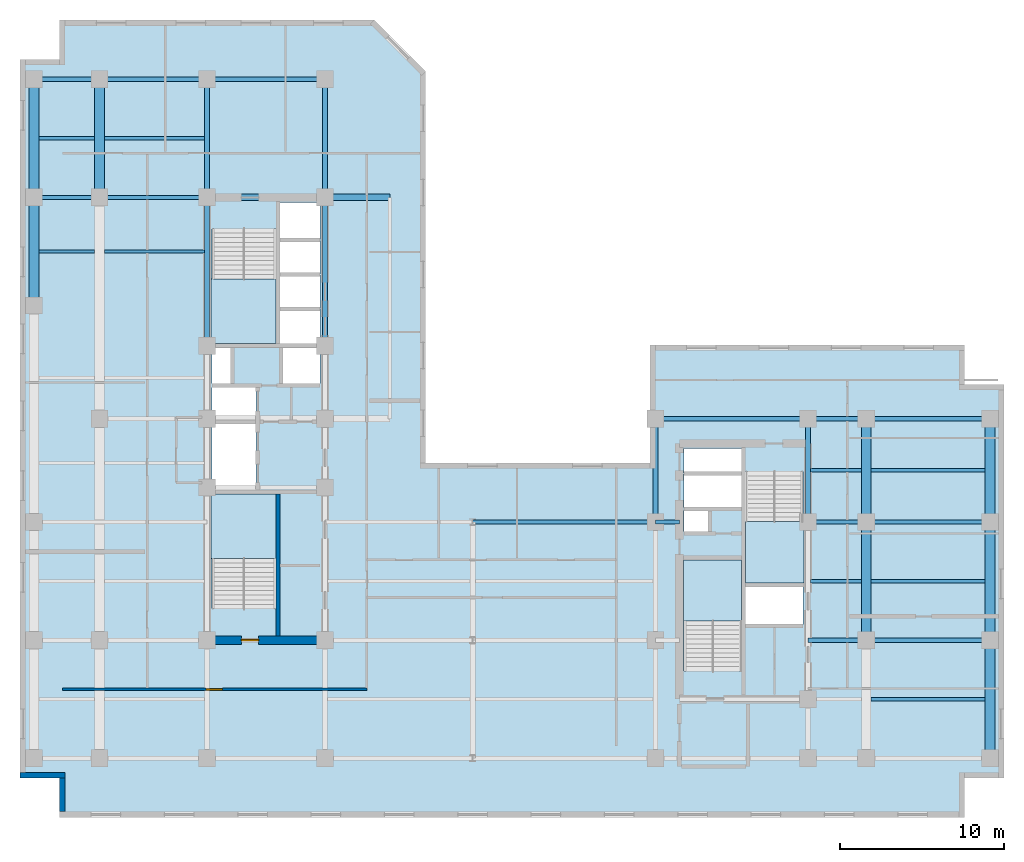
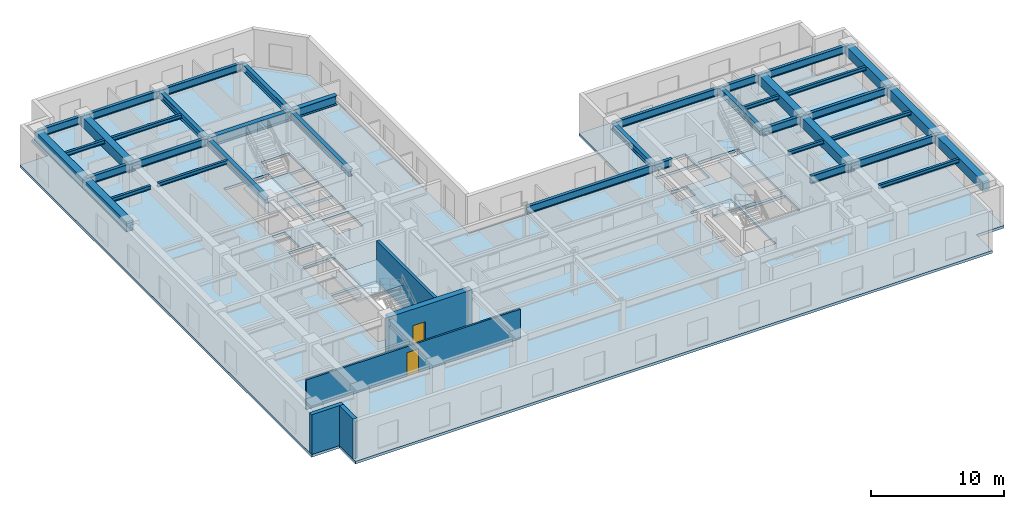
# One storey, part 2 of 10: 38 beams, 5 slabs, 5 walls, 2 doors, 2 openings, 4 elements without a shape of their own.
"""IFC4 building model written with IfcOpenShell, lengths in metres."""

from ifc_helpers import new_model, entity, si_unit, converted_unit, direction, frame, origin_with_axes, origin_2d_with_axis, place, context, subcontext, project, spatial, polyline, rectangle, i_section, outline, extrude, material, layer, layer_set, material_profile, profile_set, type_object, element, fill, aggregate, save


model = new_model("IFC4")

# Units and contexts
model_context = context("Model", 3, precision=1e-05, world=origin_with_axes(), true_north=direction((0.0, 1.0)))
body_context = subcontext(model_context, "Body", "Model", "MODEL_VIEW")
ifc_project = project(units=[si_unit("LENGTHUNIT", "METRE"), si_unit("AREAUNIT", "SQUARE_METRE"), si_unit("VOLUMEUNIT", "CUBIC_METRE"), converted_unit("PLANEANGLEUNIT", "DEGREE", entity("IfcPlaneAngleMeasure", 0.017453292519943295), si_unit("PLANEANGLEUNIT", "RADIAN"), dimensions=[0, 0, 0, 0, 0, 0, 0]), si_unit("MASSUNIT", "GRAM", prefix="KILO"), si_unit("THERMODYNAMICTEMPERATUREUNIT", "KELVIN")], contexts=[model_context])

# Site, building, storey
site_placement = place(None, origin_with_axes())
site = spatial("IfcSite", under=ifc_project, at=site_placement, CompositionType="ELEMENT")
building_placement = place(site_placement, origin_with_axes())
building = spatial("IfcBuilding", under=site, at=building_placement, Name="Varnlund Millrace Tower", CompositionType="ELEMENT")
storey_placement = place(building_placement, frame((0.0, 0.0, 171.9), z_axis=(0.0, 0.0, 1.0), x_axis=(1.0, 0.0, 0.0)))
storey = spatial("IfcBuildingStorey", under=building, at=storey_placement, Name="L42", CompositionType="ELEMENT", Elevation=171.9)

# Beams
ifc_material_1 = material(Name="Steel ASTM A992 Grade 50", Category="steel")
ifc_material_profile_1 = material_profile(ifc_material_1, i_section(OverallWidth=0.328, OverallDepth=0.628, WebThickness=0.0165, FlangeThickness=0.0277, FilletRadius=0.018, at=origin_2d_with_axis()), Name="Steel ASTM A992 Grade 50")
ifc_profile_set_1 = profile_set([ifc_material_profile_1], Name="Steel ASTM A992 Grade 50")
beam_type_1 = type_object("IfcBeamType", Name="Type-Girder-W24X146", PredefinedType="USERDEFINED", material=ifc_profile_set_1)
beam_1_placement = place(storey_placement, frame((11.4, 28.75, 3.346), z_axis=(0.0, 1.0, 0.0), x_axis=(-1.0, 0.0, 0.0)))
element("IfcBeam", 1, at=beam_1_placement, inside=storey, type_object=beam_type_1, Name="Type-Girder-W24X146", ObjectType="GIRDER", PredefinedType="USERDEFINED", context=body_context, shape_type="SweptSolid", body=[
    extrude(i_section(OverallWidth=0.328, OverallDepth=0.628, WebThickness=0.0165, FlangeThickness=0.0277, FilletRadius=0.018, at=origin_2d_with_axis()), origin_with_axes(), (0.0, 0.0, 1.0), 9.05),
])
beam_2_placement = place(storey_placement, frame((11.4, 37.8, 3.346), z_axis=(0.0, 1.0, 0.0), x_axis=(-1.0, 0.0, 0.0)))
element("IfcBeam", 2, at=beam_2_placement, inside=storey, type_object=beam_type_1, Name="Type-Girder-W24X146", ObjectType="GIRDER", PredefinedType="USERDEFINED", context=body_context, shape_type="SweptSolid", body=[
    extrude(i_section(OverallWidth=0.328, OverallDepth=0.628, WebThickness=0.0165, FlangeThickness=0.0277, FilletRadius=0.018, at=origin_2d_with_axis()), origin_with_axes(), (0.0, 0.0, 1.0), 7.2),
])
beam_3_placement = place(storey_placement, frame((18.6, 28.75, 3.346), z_axis=(0.0, 1.0, 0.0), x_axis=(-1.0, 0.0, 0.0)))
element("IfcBeam", 3, at=beam_3_placement, inside=storey, type_object=beam_type_1, Name="Type-Girder-W24X146", ObjectType="GIRDER", PredefinedType="USERDEFINED", context=body_context, shape_type="SweptSolid", body=[
    extrude(i_section(OverallWidth=0.328, OverallDepth=0.628, WebThickness=0.0165, FlangeThickness=0.0277, FilletRadius=0.018, at=origin_2d_with_axis()), origin_with_axes(), (0.0, 0.0, 1.0), 9.05),
])
beam_4_placement = place(storey_placement, frame((18.6, 37.8, 3.346), z_axis=(0.0, 1.0, 0.0), x_axis=(-1.0, 0.0, 0.0)))
element("IfcBeam", 4, at=beam_4_placement, inside=storey, type_object=beam_type_1, Name="Type-Girder-W24X146", ObjectType="GIRDER", PredefinedType="USERDEFINED", context=body_context, shape_type="SweptSolid", body=[
    extrude(i_section(OverallWidth=0.328, OverallDepth=0.628, WebThickness=0.0165, FlangeThickness=0.0277, FilletRadius=0.018, at=origin_2d_with_axis()), origin_with_axes(), (0.0, 0.0, 1.0), 7.2),
])
for number, where, z_axis, x_axis, name in (
    (5, (38.75, 18.0, 3.346), (0.0, 1.0, 0.0), (-1.0, 0.0, 0.0), "Type-Girder-W24X146"),
    (6, (48.05, 18.0, 3.346), (0.0, 1.0, 0.0), (-1.0, 0.0, 0.0), "Type-Girder-W24X146"),
):
    element("IfcBeam", number, at=place(storey_placement, frame(where, z_axis=z_axis, x_axis=x_axis)), inside=storey, type_object=beam_type_1, Name=name, ObjectType="GIRDER", PredefinedType="USERDEFINED", context=body_context, shape_type="SweptSolid", body=[
        extrude(i_section(OverallWidth=0.328, OverallDepth=0.628, WebThickness=0.0165, FlangeThickness=0.0277, FilletRadius=0.018, at=origin_2d_with_axis()), origin_with_axes(), (0.0, 0.0, 1.0), 6.3),
    ])
ifc_material_profile_2 = material_profile(ifc_material_1, i_section(OverallWidth=0.256, OverallDepth=0.693, WebThickness=0.0145, FlangeThickness=0.0236, FilletRadius=0.018, at=origin_2d_with_axis()), Name="Steel ASTM A992 Grade 50")
ifc_profile_set_2 = profile_set([ifc_material_profile_2], Name="Steel ASTM A992 Grade 50")
beam_type_2 = type_object("IfcBeamType", Name="Type-Girder-W27X114", PredefinedType="USERDEFINED", material=ifc_profile_set_2)
beam_5_placement = place(storey_placement, frame((48.05, 10.8, 3.3135), z_axis=(1.0, 0.0, 0.0), x_axis=(0.0, 1.0, 0.0)))
element("IfcBeam", 7, at=beam_5_placement, inside=storey, type_object=beam_type_2, Name="Type-Girder-W27X114", ObjectType="GIRDER", PredefinedType="USERDEFINED", context=body_context, shape_type="SweptSolid", body=[
    extrude(i_section(OverallWidth=0.256, OverallDepth=0.693, WebThickness=0.0145, FlangeThickness=0.0236, FilletRadius=0.018, at=origin_2d_with_axis()), origin_with_axes(), (0.0, 0.0, 1.0), 3.55),
])
beam_6_placement = place(storey_placement, frame((51.6, 10.8, 3.3135), z_axis=(1.0, 0.0, 0.0), x_axis=(0.0, 1.0, 0.0)))
element("IfcBeam", 8, at=beam_6_placement, inside=storey, type_object=beam_type_2, Name="Type-Girder-W27X114", ObjectType="GIRDER", PredefinedType="USERDEFINED", context=body_context, shape_type="SweptSolid", body=[
    extrude(i_section(OverallWidth=0.256, OverallDepth=0.693, WebThickness=0.0145, FlangeThickness=0.0236, FilletRadius=0.018, at=origin_2d_with_axis()), origin_with_axes(), (0.0, 0.0, 1.0), 7.55),
])
beam_7_placement = place(storey_placement, frame((27.6, 18.0, 3.3135), z_axis=(1.0, 0.0, 0.0), x_axis=(0.0, 1.0, 0.0)))
element("IfcBeam", 9, at=beam_7_placement, inside=storey, type_object=beam_type_2, Name="Type-Girder-W27X114", ObjectType="GIRDER", PredefinedType="USERDEFINED", context=body_context, shape_type="SweptSolid", body=[
    extrude(i_section(OverallWidth=0.256, OverallDepth=0.693, WebThickness=0.0145, FlangeThickness=0.0236, FilletRadius=0.018, at=origin_2d_with_axis()), origin_with_axes(), (0.0, 0.0, 1.0), 11.15),
])
beam_8_placement = place(storey_placement, frame((38.75, 18.0, 3.3135), z_axis=(1.0, 0.0, 0.0), x_axis=(0.0, 1.0, 0.0)))
element("IfcBeam", 10, at=beam_8_placement, inside=storey, type_object=beam_type_2, Name="Type-Girder-W27X114", ObjectType="GIRDER", PredefinedType="USERDEFINED", context=body_context, shape_type="SweptSolid", body=[
    extrude(i_section(OverallWidth=0.256, OverallDepth=0.693, WebThickness=0.0145, FlangeThickness=0.0236, FilletRadius=0.018, at=origin_2d_with_axis()), origin_with_axes(), (0.0, 0.0, 1.0), 1.45),
])
beam_9_placement = place(storey_placement, frame((48.05, 18.0, 3.3135), z_axis=(1.0, 0.0, 0.0), x_axis=(0.0, 1.0, 0.0)))
element("IfcBeam", 11, at=beam_9_placement, inside=storey, type_object=beam_type_2, Name="Type-Girder-W27X114", ObjectType="GIRDER", PredefinedType="USERDEFINED", context=body_context, shape_type="SweptSolid", body=[
    extrude(i_section(OverallWidth=0.256, OverallDepth=0.693, WebThickness=0.0145, FlangeThickness=0.0236, FilletRadius=0.018, at=origin_2d_with_axis()), origin_with_axes(), (0.0, 0.0, 1.0), 3.55),
])
beam_10_placement = place(storey_placement, frame((51.6, 18.0, 3.3135), z_axis=(1.0, 0.0, 0.0), x_axis=(0.0, 1.0, 0.0)))
element("IfcBeam", 12, at=beam_10_placement, inside=storey, type_object=beam_type_2, Name="Type-Girder-W27X114", ObjectType="GIRDER", PredefinedType="USERDEFINED", context=body_context, shape_type="SweptSolid", body=[
    extrude(i_section(OverallWidth=0.256, OverallDepth=0.693, WebThickness=0.0145, FlangeThickness=0.0236, FilletRadius=0.018, at=origin_2d_with_axis()), origin_with_axes(), (0.0, 0.0, 1.0), 7.55),
])
beam_11_placement = place(storey_placement, frame((38.75, 24.3, 3.3135), z_axis=(1.0, 0.0, 0.0), x_axis=(0.0, 1.0, 0.0)))
element("IfcBeam", 13, at=beam_11_placement, inside=storey, type_object=beam_type_2, Name="Type-Girder-W27X114", ObjectType="GIRDER", PredefinedType="USERDEFINED", context=body_context, shape_type="SweptSolid", body=[
    extrude(i_section(OverallWidth=0.256, OverallDepth=0.693, WebThickness=0.0145, FlangeThickness=0.0236, FilletRadius=0.018, at=origin_2d_with_axis()), origin_with_axes(), (0.0, 0.0, 1.0), 9.3),
])
beam_12_placement = place(storey_placement, frame((48.05, 24.3, 3.3135), z_axis=(1.0, 0.0, 0.0), x_axis=(0.0, 1.0, 0.0)))
element("IfcBeam", 14, at=beam_12_placement, inside=storey, type_object=beam_type_2, Name="Type-Girder-W27X114", ObjectType="GIRDER", PredefinedType="USERDEFINED", context=body_context, shape_type="SweptSolid", body=[
    extrude(i_section(OverallWidth=0.256, OverallDepth=0.693, WebThickness=0.0145, FlangeThickness=0.0236, FilletRadius=0.018, at=origin_2d_with_axis()), origin_with_axes(), (0.0, 0.0, 1.0), 3.55),
])
beam_13_placement = place(storey_placement, frame((51.6, 24.3, 3.3135), z_axis=(1.0, 0.0, 0.0), x_axis=(0.0, 1.0, 0.0)))
element("IfcBeam", 15, at=beam_13_placement, inside=storey, type_object=beam_type_2, Name="Type-Girder-W27X114", ObjectType="GIRDER", PredefinedType="USERDEFINED", context=body_context, shape_type="SweptSolid", body=[
    extrude(i_section(OverallWidth=0.256, OverallDepth=0.693, WebThickness=0.0145, FlangeThickness=0.0236, FilletRadius=0.018, at=origin_2d_with_axis()), origin_with_axes(), (0.0, 0.0, 1.0), 7.55),
])
beam_14_placement = place(storey_placement, frame((0.85, 37.8, 3.3135), z_axis=(1.0, 0.0, 0.0), x_axis=(0.0, 1.0, 0.0)))
element("IfcBeam", 16, at=beam_14_placement, inside=storey, type_object=beam_type_2, Name="Type-Girder-W27X114", ObjectType="GIRDER", PredefinedType="USERDEFINED", context=body_context, shape_type="SweptSolid", body=[
    extrude(i_section(OverallWidth=0.256, OverallDepth=0.693, WebThickness=0.0145, FlangeThickness=0.0236, FilletRadius=0.018, at=origin_2d_with_axis()), origin_with_axes(), (0.0, 0.0, 1.0), 4.0),
])
beam_15_placement = place(storey_placement, frame((4.85, 37.8, 3.3135), z_axis=(1.0, 0.0, 0.0), x_axis=(0.0, 1.0, 0.0)))
element("IfcBeam", 17, at=beam_15_placement, inside=storey, type_object=beam_type_2, Name="Type-Girder-W27X114", ObjectType="GIRDER", PredefinedType="USERDEFINED", context=body_context, shape_type="SweptSolid", body=[
    extrude(i_section(OverallWidth=0.256, OverallDepth=0.693, WebThickness=0.0145, FlangeThickness=0.0236, FilletRadius=0.018, at=origin_2d_with_axis()), origin_with_axes(), (0.0, 0.0, 1.0), 6.55),
])
beam_16_placement = place(storey_placement, frame((0.85, 45.0, 3.3135), z_axis=(1.0, 0.0, 0.0), x_axis=(0.0, 1.0, 0.0)))
element("IfcBeam", 18, at=beam_16_placement, inside=storey, type_object=beam_type_2, Name="Type-Girder-W27X114", ObjectType="GIRDER", PredefinedType="USERDEFINED", context=body_context, shape_type="SweptSolid", body=[
    extrude(i_section(OverallWidth=0.256, OverallDepth=0.693, WebThickness=0.0145, FlangeThickness=0.0236, FilletRadius=0.018, at=origin_2d_with_axis()), origin_with_axes(), (0.0, 0.0, 1.0), 4.0),
])
beam_17_placement = place(storey_placement, frame((4.85, 45.0, 3.3135), z_axis=(1.0, 0.0, 0.0), x_axis=(0.0, 1.0, 0.0)))
element("IfcBeam", 19, at=beam_17_placement, inside=storey, type_object=beam_type_2, Name="Type-Girder-W27X114", ObjectType="GIRDER", PredefinedType="USERDEFINED", context=body_context, shape_type="SweptSolid", body=[
    extrude(i_section(OverallWidth=0.256, OverallDepth=0.693, WebThickness=0.0145, FlangeThickness=0.0236, FilletRadius=0.018, at=origin_2d_with_axis()), origin_with_axes(), (0.0, 0.0, 1.0), 6.55),
])
beam_18_placement = place(storey_placement, frame((11.4, 45.0, 3.3135), z_axis=(1.0, 0.0, 0.0), x_axis=(0.0, 1.0, 0.0)))
element("IfcBeam", 20, at=beam_18_placement, inside=storey, type_object=beam_type_2, Name="Type-Girder-W27X114", ObjectType="GIRDER", PredefinedType="USERDEFINED", context=body_context, shape_type="SweptSolid", body=[
    extrude(i_section(OverallWidth=0.256, OverallDepth=0.693, WebThickness=0.0145, FlangeThickness=0.0236, FilletRadius=0.018, at=origin_2d_with_axis()), origin_with_axes(), (0.0, 0.0, 1.0), 7.2),
])
ifc_material_profile_3 = material_profile(ifc_material_1, i_section(OverallWidth=0.399, OverallDepth=0.855, WebThickness=0.0182, FlangeThickness=0.0292, FilletRadius=0.022, at=origin_2d_with_axis()), Name="Steel ASTM A992 Grade 50")
ifc_profile_set_3 = profile_set([ifc_material_profile_3], Name="Steel ASTM A992 Grade 50")
beam_type_3 = type_object("IfcBeamType", Name="Type-Girder-W33X201", PredefinedType="USERDEFINED", material=ifc_profile_set_3)
beam_19_placement = place(storey_placement, frame((11.4, 37.8, 3.2325), z_axis=(1.0, 0.0, 0.0), x_axis=(0.0, 1.0, 0.0)))
element("IfcBeam", 21, at=beam_19_placement, inside=storey, type_object=beam_type_3, Name="Type-Girder-W33X201", ObjectType="GIRDER", PredefinedType="USERDEFINED", context=body_context, shape_type="SweptSolid", body=[
    extrude(i_section(OverallWidth=0.399, OverallDepth=0.855, WebThickness=0.0182, FlangeThickness=0.0292, FilletRadius=0.022, at=origin_2d_with_axis()), origin_with_axes(), (0.0, 0.0, 1.0), 11.15),
])
ifc_material_profile_4 = material_profile(ifc_material_1, i_section(OverallWidth=0.204, OverallDepth=0.35, WebThickness=0.0086, FlangeThickness=0.0151, FilletRadius=0.013, at=origin_2d_with_axis()), Name="Steel ASTM A992 Grade 50")
ifc_profile_set_4 = profile_set([ifc_material_profile_4], Name="Steel ASTM A992 Grade 50")
beam_type_4 = type_object("IfcBeamType", Name="Type-Joist-W14X48", PredefinedType="JOIST", material=ifc_profile_set_4)
for number, where, z_axis, x_axis, name in (
    (22, (1.15, 34.5, 3.485), (1.0, 0.0, 0.0), (0.0, 1.0, 0.0), "Type-Joist-W14X48"),
    (23, (1.15, 41.4, 3.485), (1.0, 0.0, 0.0), (0.0, 1.0, 0.0), "Type-Joist-W14X48"),
):
    element("IfcBeam", number, at=place(storey_placement, frame(where, z_axis=z_axis, x_axis=x_axis)), inside=storey, type_object=beam_type_4, Name=name, PredefinedType="JOIST", context=body_context, shape_type="SweptSolid", body=[
        extrude(i_section(OverallWidth=0.204, OverallDepth=0.35, WebThickness=0.0086, FlangeThickness=0.0151, FilletRadius=0.013, at=origin_2d_with_axis()), origin_with_axes(), (0.0, 0.0, 1.0), 3.4),
    ])
for number, where, z_axis, x_axis, name in (
    (24, (5.15, 34.5, 3.485), (1.0, 0.0, 0.0), (0.0, 1.0, 0.0), "Type-Joist-W14X48"),
    (25, (5.15, 41.4, 3.485), (1.0, 0.0, 0.0), (0.0, 1.0, 0.0), "Type-Joist-W14X48"),
):
    element("IfcBeam", number, at=place(storey_placement, frame(where, z_axis=z_axis, x_axis=x_axis)), inside=storey, type_object=beam_type_4, Name=name, PredefinedType="JOIST", context=body_context, shape_type="SweptSolid", body=[
        extrude(i_section(OverallWidth=0.204, OverallDepth=0.35, WebThickness=0.0086, FlangeThickness=0.0151, FilletRadius=0.013, at=origin_2d_with_axis()), origin_with_axes(), (0.0, 0.0, 1.0), 6.086),
    ])
for number, where, z_axis, x_axis, name in (
    (26, (48.214, 14.4, 3.485), (1.0, 0.0, 0.0), (0.0, 1.0, 0.0), "Type-Joist-W14X48"),
    (27, (48.214, 21.15, 3.485), (1.0, 0.0, 0.0), (0.0, 1.0, 0.0), "Type-Joist-W14X48"),
):
    element("IfcBeam", number, at=place(storey_placement, frame(where, z_axis=z_axis, x_axis=x_axis)), inside=storey, type_object=beam_type_4, Name=name, PredefinedType="JOIST", context=body_context, shape_type="SweptSolid", body=[
        extrude(i_section(OverallWidth=0.204, OverallDepth=0.35, WebThickness=0.0086, FlangeThickness=0.0151, FilletRadius=0.013, at=origin_2d_with_axis()), origin_with_axes(), (0.0, 0.0, 1.0), 3.086),
    ])
for number, where, z_axis, x_axis, name in (
    (28, (51.9, 7.2, 3.485), (1.0, 0.0, 0.0), (0.0, 1.0, 0.0), "Type-Joist-W14X48"),
    (29, (51.9, 14.4, 3.485), (1.0, 0.0, 0.0), (0.0, 1.0, 0.0), "Type-Joist-W14X48"),
    (30, (51.9, 21.15, 3.485), (1.0, 0.0, 0.0), (0.0, 1.0, 0.0), "Type-Joist-W14X48"),
):
    element("IfcBeam", number, at=place(storey_placement, frame(where, z_axis=z_axis, x_axis=x_axis)), inside=storey, type_object=beam_type_4, Name=name, PredefinedType="JOIST", context=body_context, shape_type="SweptSolid", body=[
        extrude(i_section(OverallWidth=0.204, OverallDepth=0.35, WebThickness=0.0086, FlangeThickness=0.0151, FilletRadius=0.013, at=origin_2d_with_axis()), origin_with_axes(), (0.0, 0.0, 1.0), 6.95),
    ])
ifc_material_2 = material(Name="Concrete C70/85", Category="concrete")
ifc_material_profile_5 = material_profile(ifc_material_2, rectangle(XDim=0.6, YDim=0.9, at=origin_2d_with_axis()), Name="Concrete C70/85")
ifc_profile_set_5 = profile_set([ifc_material_profile_5], Name="Concrete C70/85")
beam_type_5 = type_object("IfcBeamType", Name="Type-Spandrel-RC600X900", PredefinedType="SPANDREL", material=ifc_profile_set_5)
beam_20_placement = place(storey_placement, frame((0.85, 31.2, 3.21), z_axis=(0.0, 1.0, 0.0), x_axis=(-1.0, 0.0, 0.0)))
element("IfcBeam", 31, at=beam_20_placement, inside=storey, type_object=beam_type_5, Name="Type-Spandrel-RC600X900", PredefinedType="SPANDREL", context=body_context, shape_type="SweptSolid", body=[
    extrude(rectangle(XDim=0.6, YDim=0.9, at=origin_2d_with_axis()), origin_with_axes(), (0.0, 0.0, 1.0), 6.6),
])
for number, where, z_axis, x_axis, name in (
    (32, (0.85, 37.8, 3.21), (0.0, 1.0, 0.0), (-1.0, 0.0, 0.0), "Type-Spandrel-RC600X900"),
    (33, (4.85, 37.8, 3.21), (0.0, 1.0, 0.0), (-1.0, 0.0, 0.0), "Type-Spandrel-RC600X900"),
    (34, (51.6, 10.8, 3.21), (0.0, 1.0, 0.0), (-1.0, 0.0, 0.0), "Type-Spandrel-RC600X900"),
):
    element("IfcBeam", number, at=place(storey_placement, frame(where, z_axis=z_axis, x_axis=x_axis)), inside=storey, type_object=beam_type_5, Name=name, PredefinedType="SPANDREL", context=body_context, shape_type="SweptSolid", body=[
        extrude(rectangle(XDim=0.6, YDim=0.9, at=origin_2d_with_axis()), origin_with_axes(), (0.0, 0.0, 1.0), 7.2),
    ])
beam_21_placement = place(storey_placement, frame((51.6, 18.0, 3.21), z_axis=(0.0, 1.0, 0.0), x_axis=(-1.0, 0.0, 0.0)))
element("IfcBeam", 35, at=beam_21_placement, inside=storey, type_object=beam_type_5, Name="Type-Spandrel-RC600X900", PredefinedType="SPANDREL", context=body_context, shape_type="SweptSolid", body=[
    extrude(rectangle(XDim=0.6, YDim=0.9, at=origin_2d_with_axis()), origin_with_axes(), (0.0, 0.0, 1.0), 6.3),
])
for number, where, z_axis, x_axis, name in (
    (36, (59.15, 3.6, 3.21), (0.0, 1.0, 0.0), (-1.0, 0.0, 0.0), "Type-Spandrel-RC600X900"),
    (37, (59.15, 10.8, 3.21), (0.0, 1.0, 0.0), (-1.0, 0.0, 0.0), "Type-Spandrel-RC600X900"),
):
    element("IfcBeam", number, at=place(storey_placement, frame(where, z_axis=z_axis, x_axis=x_axis)), inside=storey, type_object=beam_type_5, Name=name, PredefinedType="SPANDREL", context=body_context, shape_type="SweptSolid", body=[
        extrude(rectangle(XDim=0.6, YDim=0.9, at=origin_2d_with_axis()), origin_with_axes(), (0.0, 0.0, 1.0), 7.2),
    ])
beam_22_placement = place(storey_placement, frame((59.15, 18.0, 3.21), z_axis=(0.0, 1.0, 0.0), x_axis=(-1.0, 0.0, 0.0)))
element("IfcBeam", 38, at=beam_22_placement, inside=storey, type_object=beam_type_5, Name="Type-Spandrel-RC600X900", PredefinedType="SPANDREL", context=body_context, shape_type="SweptSolid", body=[
    extrude(rectangle(XDim=0.6, YDim=0.9, at=origin_2d_with_axis()), origin_with_axes(), (0.0, 0.0, 1.0), 6.3),
])

# Slab
ifc_material_3 = material(Name="Concrete C60/75", Category="concrete")
ifc_layer_1 = layer(ifc_material_3, 0.24, Name="Concrete C60/75")
ifc_layer_set_1 = layer_set([ifc_layer_1], Name="Concrete C60/75")
slab_type_1 = type_object("IfcSlabType", Name="Type-Deck-Plate-Typical-240", PredefinedType="FLOOR", material=ifc_layer_set_1)
slab_1_placement = place(storey_placement, frame((0.0, 0.0, -0.24), z_axis=(0.0, 0.0, 1.0), x_axis=(1.0, 0.0, 0.0)))
element("IfcSlab", 39, at=slab_1_placement, inside=storey, type_object=slab_type_1, Name="Type-Deck-Plate-Typical-240", PredefinedType="FLOOR", context=body_context, shape_type="SweptSolid", body=[
    extrude(outline(polyline([(24.738, 21.6), (24.738, 45.48), (21.618, 48.6), (2.4, 48.6), (2.4, 46.2), (0.0, 46.2), (0.0, 2.4), (2.4, 2.4), (2.4, 0.0), (57.6, 0.0), (57.6, 2.4), (60.0, 2.4), (60.0, 26.4), (57.6, 26.4), (57.6, 28.8), (38.4, 28.8), (38.4, 21.6), (24.738, 21.6)]), holes=[polyline([(15.6, 12.715), (11.7, 12.715), (11.7, 19.7), (15.6, 19.7), (15.6, 12.715)]), polyline([(14.38, 23.98), (14.38, 19.94), (11.7, 19.94), (11.7, 23.98), (14.38, 23.98)]), polyline([(14.38, 24.24), (11.7, 24.24), (11.7, 26.2), (14.38, 26.2), (14.38, 24.24)]), polyline([(12.84, 26.46), (11.7, 26.46), (11.7, 28.65), (12.84, 28.65), (12.84, 26.46)]), polyline([(18.3, 28.9), (15.84, 28.9), (15.84, 30.98), (18.3, 30.98), (18.3, 28.9)]), polyline([(18.3, 31.02), (15.84, 31.02), (15.84, 33.08), (18.3, 33.08), (18.3, 31.02)]), polyline([(15.6, 28.9), (11.7, 28.9), (11.7, 35.885), (15.6, 35.885), (15.6, 28.9)]), polyline([(18.3, 33.12), (15.84, 33.12), (15.84, 35.18), (18.3, 35.18), (18.3, 33.12)]), polyline([(44.0, 8.915), (40.5, 8.915), (40.5, 15.7), (44.0, 15.7), (44.0, 8.915)]), polyline([(47.75, 11.74), (44.25, 11.74), (44.25, 14.06), (47.75, 14.06), (47.75, 11.74)]), polyline([(47.75, 14.3), (44.25, 14.3), (44.25, 21.085), (47.75, 21.085), (47.75, 14.3)]), polyline([(41.95, 17.42), (40.5, 17.42), (40.5, 18.72), (41.95, 18.72), (41.95, 17.42)]), polyline([(44.0, 18.88), (40.5, 18.88), (40.5, 20.94), (44.0, 20.94), (44.0, 18.88)]), polyline([(44.0, 21.0), (40.5, 21.0), (40.5, 22.5), (44.0, 22.5), (44.0, 21.0)]), polyline([(16.04, 26.46), (16.04, 28.65), (18.3, 28.65), (18.3, 26.46), (16.04, 26.46)]), polyline([(15.84, 35.22), (15.84, 37.5), (18.3, 37.5), (18.3, 35.22), (15.84, 35.22)])]), origin_with_axes(), (0.0, 0.0, 1.0), 0.24),
])

# Stair, slab
ifc_material_4 = material(Name="Concrete C50/60", Category="concrete")
stair_type_1 = type_object("IfcStairType", Name="Type-Stair-Dogleg-185-390", PredefinedType="HALF_TURN_STAIR", material=ifc_material_4)
stair_1_placement = place(storey_placement, origin_with_axes())
stair_1 = element("IfcStair", 40, at=stair_1_placement, inside=storey, type_object=stair_type_1, Name="Type-Stair-Dogleg-185-390", PredefinedType="HALF_TURN_STAIR")
ifc_layer_2 = layer(ifc_material_4, 0.2, Name="Concrete C50/60")
ifc_layer_set_2 = layer_set([ifc_layer_2], Name="Concrete C50/60")
slab_type_2 = type_object("IfcSlabType", Name="Type-StairLanding-200", PredefinedType="LANDING", material=ifc_layer_set_2)
slab_2_placement = place(storey_placement, frame((0.0, 0.0, 1.75), z_axis=(0.0, 0.0, 1.0), x_axis=(1.0, 0.0, 0.0)))
slab_2 = element("IfcSlab", 41, at=slab_2_placement, type_object=slab_type_2, Name="ST-A1 landing 1", PredefinedType="LANDING", context=body_context, shape_type="SweptSolid", body=[
    extrude(outline(polyline([(15.6, 15.78), (15.6, 19.7), (11.65, 19.7), (11.65, 15.78), (15.6, 15.78)])), origin_with_axes(), (0.0, 0.0, 1.0), 0.2),
])
aggregate(stair_1, [slab_2])

stair_2_placement = place(storey_placement, origin_with_axes())
stair_2 = element("IfcStair", 42, at=stair_2_placement, inside=storey, type_object=stair_type_1, Name="Type-Stair-Dogleg-185-390", PredefinedType="HALF_TURN_STAIR")
slab_3_placement = place(storey_placement, frame((0.0, 0.0, 1.75), z_axis=(0.0, 0.0, 1.0), x_axis=(1.0, 0.0, 0.0)))
slab_3 = element("IfcSlab", 43, at=slab_3_placement, type_object=slab_type_2, Name="ST-A2 landing 1", PredefinedType="LANDING", context=body_context, shape_type="SweptSolid", body=[
    extrude(outline(polyline([(11.65, 32.82), (11.65, 28.9), (15.6, 28.9), (15.6, 32.82), (11.65, 32.82)])), origin_with_axes(), (0.0, 0.0, 1.0), 0.2),
])
aggregate(stair_2, [slab_3])

stair_type_2 = type_object("IfcStairType", Name="Type-Stair-Dogleg-165-390", PredefinedType="HALF_TURN_STAIR", material=ifc_material_4)
stair_3_placement = place(storey_placement, origin_with_axes())
stair_3 = element("IfcStair", 44, at=stair_3_placement, inside=storey, type_object=stair_type_2, Name="Type-Stair-Dogleg-165-390", PredefinedType="HALF_TURN_STAIR")
slab_4_placement = place(storey_placement, frame((0.0, 0.0, 1.75), z_axis=(0.0, 0.0, 1.0), x_axis=(1.0, 0.0, 0.0)))
slab_4 = element("IfcSlab", 45, at=slab_4_placement, type_object=slab_type_2, Name="ST-B1 landing 1", PredefinedType="LANDING", context=body_context, shape_type="SweptSolid", body=[
    extrude(outline(polyline([(44.0, 11.98), (44.0, 15.7), (40.45, 15.7), (40.45, 11.98), (44.0, 11.98)])), origin_with_axes(), (0.0, 0.0, 1.0), 0.2),
])
aggregate(stair_3, [slab_4])

stair_4_placement = place(storey_placement, origin_with_axes())
stair_4 = element("IfcStair", 46, at=stair_4_placement, inside=storey, type_object=stair_type_2, Name="Type-Stair-Dogleg-165-390", PredefinedType="HALF_TURN_STAIR")
slab_5_placement = place(storey_placement, frame((0.0, 0.0, 1.75), z_axis=(0.0, 0.0, 1.0), x_axis=(1.0, 0.0, 0.0)))
slab_5 = element("IfcSlab", 47, at=slab_5_placement, type_object=slab_type_2, Name="ST-B2 landing 1", PredefinedType="LANDING", context=body_context, shape_type="SweptSolid", body=[
    extrude(outline(polyline([(44.25, 18.02), (44.25, 14.3), (47.8, 14.3), (47.8, 18.02), (44.25, 18.02)])), origin_with_axes(), (0.0, 0.0, 1.0), 0.2),
])
aggregate(stair_4, [slab_5])

# Wall, opening, door
ifc_layer_3 = layer(ifc_material_2, 0.5, Name="Concrete C70/85")
ifc_layer_set_3 = layer_set([ifc_layer_3], Name="Concrete C70/85")
wall_type_1 = type_object("IfcWallType", Name="Type-CoreWall-Shear-500-C70", PredefinedType="SHEAR", material=ifc_layer_set_3)
wall_1_placement = place(storey_placement, frame((11.4, 10.8, 0.0), z_axis=(0.0, 0.0, 1.0), x_axis=(1.0, 0.0, 0.0)))
wall_1 = element("IfcWall", 48, at=wall_1_placement, inside=storey, type_object=wall_type_1, Name="Type-CoreWall-Shear-500-C70", PredefinedType="SHEAR", context=body_context, shape_type="SweptSolid", body=[
    extrude(outline(polyline([(0.0, -0.25), (7.2, -0.25), (7.2, 0.25), (0.0, 0.25), (0.0, -0.25)])), origin_with_axes(), (0.0, 0.0, 1.0), 3.66),
])
opening_1_placement = place(wall_1_placement, frame((2.625, 0.0, 0.0), z_axis=(0.0, 0.0, 1.0), x_axis=(1.0, 0.0, 0.0)))
opening_1 = element("IfcOpeningElement", 49, at=opening_1_placement, cuts=wall_1, Name="Opening L42:DR-STA1", PredefinedType="OPENING", context=body_context, shape_type="SweptSolid", body=[
    extrude(rectangle(XDim=1.05, YDim=0.52, at=origin_2d_with_axis()), origin_with_axes(), (0.0, 0.0, 1.0), 2.15),
])
ifc_material_5 = material(Name="Fire-rated hollow steel door", Category="steel")
door_type_1 = type_object("IfcDoorType", Name="Type-FireDoor-Stair-1050X2150", OperationType="NOTDEFINED", PredefinedType="DOOR", material=ifc_material_5)
door_1_placement = place(wall_1_placement, frame((2.625, 0.0, 0.0), z_axis=(0.0, 0.0, 1.0), x_axis=(1.0, 0.0, 0.0)))
door_1 = element("IfcDoor", 50, at=door_1_placement, inside=storey, type_object=door_type_1, Name="Type-FireDoor-Stair-1050X2150", OperationType="SINGLE_SWING_LEFT", OverallHeight=2.15, OverallWidth=1.05, PredefinedType="DOOR", context=body_context, shape_type="SweptSolid", body=[
    extrude(rectangle(XDim=1.05, YDim=0.09, at=origin_2d_with_axis()), origin_with_axes(), (0.0, 0.0, 1.0), 2.15),
])
fill(opening_1, door_1)

# Walls
ifc_material_6 = material(Name="Precast concrete C50/60", Category="concrete")
ifc_layer_4 = layer(ifc_material_6, 0.34, Name="Precast concrete C50/60")
ifc_layer_set_4 = layer_set([ifc_layer_4], Name="Precast concrete C50/60")
wall_type_2 = type_object("IfcWallType", Name="Type-ExtWall-Precast-Upper-340", PredefinedType="SOLIDWALL", material=ifc_layer_set_4)
wall_2_placement = place(storey_placement, frame((2.57, 0.34, 0.0), z_axis=(0.0, 0.0, 1.0), x_axis=(0.0, 1.0, 0.0)))
element("IfcWall", 51, at=wall_2_placement, inside=storey, type_object=wall_type_2, Name="Type-ExtWall-Precast-Upper-340", PredefinedType="SOLIDWALL", context=body_context, shape_type="SweptSolid", body=[
    extrude(outline(polyline([(0.0, -0.17), (2.06, -0.17), (2.06, 0.17), (0.0, 0.17), (0.0, -0.17)])), origin_with_axes(), (0.0, 0.0, 1.0), 3.66),
])
wall_3_placement = place(storey_placement, frame((2.74, 2.57, 0.0), z_axis=(0.0, 0.0, 1.0), x_axis=(-1.0, 0.0, 0.0)))
element("IfcWall", 52, at=wall_3_placement, inside=storey, type_object=wall_type_2, Name="Type-ExtWall-Precast-Upper-340", PredefinedType="SOLIDWALL", context=body_context, shape_type="SweptSolid", body=[
    extrude(outline(polyline([(0.0, -0.17), (2.74, -0.17), (2.74, 0.17), (0.0, 0.17), (0.0, -0.17)])), origin_with_axes(), (0.0, 0.0, 1.0), 3.66),
])

# Wall, opening, door
ifc_material_7 = material(Name="Fire-rated gypsum board on cold-formed steel framing", Category="steel")
ifc_layer_5 = layer(ifc_material_7, 0.16, Name="Fire-rated gypsum board on cold-formed steel framing")
ifc_layer_set_5 = layer_set([ifc_layer_5], Name="Fire-rated gypsum board on cold-formed steel framing")
wall_type_3 = type_object("IfcWallType", Name="Type-Partition-Corridor-160", PredefinedType="PARTITIONING", material=ifc_layer_set_5)
wall_4_placement = place(storey_placement, frame((2.6, 7.8, 0.0), z_axis=(0.0, 0.0, 1.0), x_axis=(1.0, 0.0, 0.0)))
wall_4 = element("IfcWall", 53, at=wall_4_placement, inside=storey, type_object=wall_type_3, Name="Type-Partition-Corridor-160", PredefinedType="PARTITIONING", context=body_context, shape_type="SweptSolid", body=[
    extrude(outline(polyline([(0.0, -0.08), (18.55, -0.08), (18.55, 0.08), (0.0, 0.08), (0.0, -0.08)])), origin_with_axes(), (0.0, 0.0, 1.0), 2.7),
])
opening_2_placement = place(wall_4_placement, frame((9.245, 0.0, 0.0), z_axis=(0.0, 0.0, 1.0), x_axis=(1.0, 0.0, 0.0)))
opening_2 = element("IfcOpeningElement", 54, at=opening_2_placement, cuts=wall_4, Name="Opening L42:DR-WAS-01", PredefinedType="OPENING", context=body_context, shape_type="SweptSolid", body=[
    extrude(rectangle(XDim=1.0, YDim=0.18, at=origin_2d_with_axis()), origin_with_axes(), (0.0, 0.0, 1.0), 2.15),
])
ifc_material_8 = material(Name="Solid-core white oak and bronze frame door")
door_type_2 = type_object("IfcDoorType", Name="Type-IntDoor-Office-1000X2150", OperationType="NOTDEFINED", PredefinedType="DOOR", material=ifc_material_8)
door_2_placement = place(wall_4_placement, frame((9.245, 0.0, 0.0), z_axis=(0.0, 0.0, 1.0), x_axis=(1.0, 0.0, 0.0)))
door_2 = element("IfcDoor", 55, at=door_2_placement, inside=storey, type_object=door_type_2, Name="Type-IntDoor-Office-1000X2150", OperationType="SINGLE_SWING_LEFT", OverallHeight=2.15, OverallWidth=1.0, PredefinedType="DOOR", context=body_context, shape_type="SweptSolid", body=[
    extrude(rectangle(XDim=1.0, YDim=0.09, at=origin_2d_with_axis()), origin_with_axes(), (0.0, 0.0, 1.0), 2.15),
])
fill(opening_2, door_2)

# Wall
ifc_layer_6 = layer(ifc_material_3, 0.25, Name="Concrete C60/75")
ifc_layer_set_6 = layer_set([ifc_layer_6], Name="Concrete C60/75")
wall_type_4 = type_object("IfcWallType", Name="Type-StairWall-Shear-250", PredefinedType="SHEAR", material=ifc_layer_set_6)
wall_5_placement = place(storey_placement, frame((15.725, 11.05, 0.0), z_axis=(0.0, 0.0, 1.0), x_axis=(0.0, 1.0, 0.0)))
element("IfcWall", 56, at=wall_5_placement, inside=storey, type_object=wall_type_4, Name="Type-StairWall-Shear-250", PredefinedType="SHEAR", context=body_context, shape_type="SweptSolid", body=[
    extrude(outline(polyline([(0.0, -0.125), (8.65, -0.125), (8.65, 0.125), (0.0, 0.125), (0.0, -0.125)])), origin_with_axes(), (0.0, 0.0, 1.0), 3.66),
])

save(model, "model.ifc")
